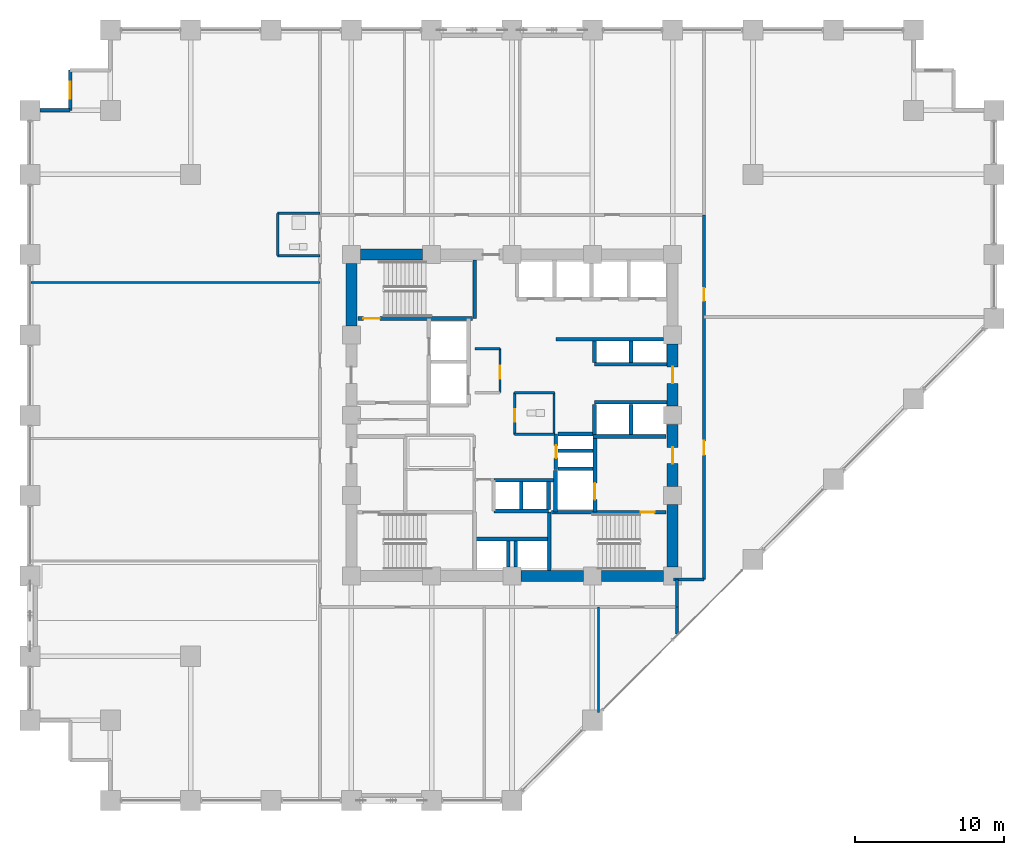
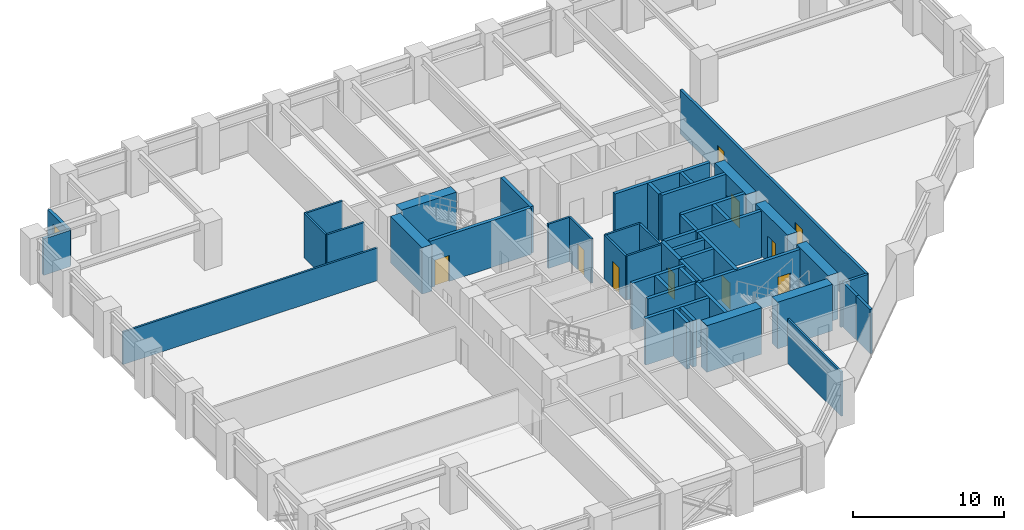
# One storey, part 21 of 25: 49 walls, 10 doors, 1 window, 11 openings.
"""IFC4 building model written with IfcOpenShell, lengths in metres."""

from ifc_helpers import new_model, si_unit, direction, frame, frame_2d, origin, place, context, subcontext, project, spatial, rectangle, extrude, material, layer, layer_set, type_object, element, fill, save


model = new_model("IFC4")

# Units and contexts
model_context = context("Model", 3, precision=1e-05, world=origin(), true_north=direction((0.0, 1.0)))
body_context = subcontext(model_context, "Body", "Model", "MODEL_VIEW")
ifc_project = project(units=[si_unit("LENGTHUNIT", "METRE"), si_unit("AREAUNIT", "SQUARE_METRE"), si_unit("VOLUMEUNIT", "CUBIC_METRE"), si_unit("PLANEANGLEUNIT", "RADIAN"), si_unit("MASSUNIT", "GRAM", prefix="KILO")], contexts=[model_context])

# Site, building, storey
site_placement = place(None, origin())
site = spatial("IfcSite", under=ifc_project, at=site_placement, CompositionType="ELEMENT")
building_placement = place(site_placement, origin())
building = spatial("IfcBuilding", under=site, at=building_placement, Name="Surkhivell Harbour Commons", CompositionType="ELEMENT")
storey_placement = place(building_placement, frame((0.0, 0.0, 45.0)))
storey = spatial("IfcBuildingStorey", under=building, at=storey_placement, Name="L11", CompositionType="ELEMENT", Elevation=45.0)

# Walls
ifc_material_1 = material(Name="Concrete C60/75", Category="concrete")
ifc_layer_1 = layer(ifc_material_1, 0.75)
ifc_layer_set_1 = layer_set([ifc_layer_1], Name="Concrete C60/75")
wall_type_1 = type_object("IfcWallType", Name="WAL-CORE-750", PredefinedType="SHEAR", material=ifc_layer_set_1)
for number, where, z_axis, x_axis, name in (
    (1, (-10.18994140625, 10.800048828125, 0.0), (0.0, 0.0, 1.0), (1.0, 0.0, 0.0), "L11 Core Shear Wall North 1"),
    (2, (10.800048828125, -10.18994140625, 0.0), (0.0, 0.0, 1.0), (0.0, 1.0, 0.0), "L11 Core Shear Wall East 1"),
):
    element("IfcWall", number, at=place(storey_placement, frame(where, z_axis=z_axis, x_axis=x_axis)), inside=storey, type_object=wall_type_1, Name=name, PredefinedType="SHEAR", context=body_context, shape_type="SweptSolid", body=[
        extrude(rectangle(XDim=4.179931640625, YDim=0.75, at=frame_2d((2.08984375, 0.0))), origin(), (0.0, 0.0, 1.0), 3.75),
    ])

# Wall, opening, door
wall_1_placement = place(storey_placement, frame((10.800048828125, -4.7900390625, 0.0), z_axis=(0.0, 0.0, 1.0), x_axis=(0.0, 1.0, 0.0)))
wall_1 = element("IfcWall", 3, at=wall_1_placement, inside=storey, type_object=wall_type_1, Name="L11 Core Shear Wall East 2", PredefinedType="SHEAR", context=body_context, shape_type="SweptSolid", body=[
    extrude(rectangle(XDim=4.179931640625, YDim=0.75, at=frame_2d((2.08984375, 0.0))), origin(), (0.0, 0.0, 1.0), 3.75),
])
opening_1_placement = place(wall_1_placement, frame((1.5400390625, 0.0, 0.0)))
opening_1 = element("IfcOpeningElement", 4, at=opening_1_placement, cuts=wall_1, Name="Opening ID-1", PredefinedType="OPENING", context=body_context, shape_type="SweptSolid", body=[
    extrude(rectangle(XDim=1.10009765625, YDim=2.10009765625, at=frame_2d((0.550048828125, 1.050048828125))), frame((0.0, 0.385009765625, 0.0), z_axis=(0.0, -1.0, 0.0), x_axis=(1.0, 0.0, 0.0)), (0.0, 0.0, 1.0), 0.77001953125),
])
ifc_material_2 = material(Name="Hardwood-veneered fire-rated door leaf", Category="wood")
door_type_1 = type_object("IfcDoorType", Name="DOR-FD120-1100", OperationType="NOTDEFINED", PredefinedType="DOOR", material=ifc_material_2)
door_1_placement = place(opening_1_placement, origin())
door_1 = element("IfcDoor", 5, at=door_1_placement, inside=storey, type_object=door_type_1, Name="L11 Firefighting Lobby 2 Corridor Door", OperationType="SINGLE_SWING_RIGHT", OverallHeight=2.10009765625, OverallWidth=1.10009765625, PredefinedType="DOOR", context=body_context, shape_type="SweptSolid", body=[
    extrude(rectangle(XDim=1.10009765625, YDim=2.10009765625, at=frame_2d((0.550048828125, 1.050048828125))), frame((0.0, 0.02490234375, 0.0), z_axis=(0.0, -1.0, 0.0), x_axis=(1.0, 0.0, 0.0)), (0.0, 0.0, 1.0), 0.050048828125),
])
fill(opening_1, door_1)

# Wall
wall_2_placement = place(storey_placement, frame((0.610107421875, -10.800048828125, 0.0), z_axis=(0.0, 0.0, 1.0), x_axis=(1.0, 0.0, 0.0)))
element("IfcWall", 6, at=wall_2_placement, inside=storey, type_object=wall_type_1, Name="L11 Core Shear Wall South 3", PredefinedType="SHEAR", context=body_context, shape_type="SweptSolid", body=[
    extrude(rectangle(XDim=4.179931640625, YDim=0.75, at=frame_2d((2.08984375, 0.0))), origin(), (0.0, 0.0, 1.0), 3.75),
])

# Wall, opening, door
wall_3_placement = place(storey_placement, frame((10.800048828125, 0.610107421875, 0.0), z_axis=(0.0, 0.0, 1.0), x_axis=(0.0, 1.0, 0.0)))
wall_3 = element("IfcWall", 7, at=wall_3_placement, inside=storey, type_object=wall_type_1, Name="L11 Core Shear Wall East 3", PredefinedType="SHEAR", context=body_context, shape_type="SweptSolid", body=[
    extrude(rectangle(XDim=4.179931640625, YDim=0.75, at=frame_2d((2.08984375, 0.0))), origin(), (0.0, 0.0, 1.0), 3.75),
])
opening_2_placement = place(wall_3_placement, frame((1.5400390625, 0.0, 0.0)))
opening_2 = element("IfcOpeningElement", 8, at=opening_2_placement, cuts=wall_3, Name="Opening ID-2", PredefinedType="OPENING", context=body_context, shape_type="SweptSolid", body=[
    extrude(rectangle(XDim=1.10009765625, YDim=2.10009765625, at=frame_2d((0.550048828125, 1.050048828125))), frame((0.0, 0.385009765625, 0.0), z_axis=(0.0, -1.0, 0.0), x_axis=(1.0, 0.0, 0.0)), (0.0, 0.0, 1.0), 0.77001953125),
])
door_type_2 = type_object("IfcDoorType", Name="DOR-FD60-1100", OperationType="NOTDEFINED", PredefinedType="DOOR", material=ifc_material_2)
door_2_placement = place(opening_2_placement, origin())
door_2 = element("IfcDoor", 9, at=door_2_placement, inside=storey, type_object=door_type_2, Name="L11 Mid-Rise Lobby East Door", OperationType="SINGLE_SWING_LEFT", OverallHeight=2.10009765625, OverallWidth=1.10009765625, PredefinedType="DOOR", context=body_context, shape_type="SweptSolid", body=[
    extrude(rectangle(XDim=1.10009765625, YDim=2.10009765625, at=frame_2d((0.550048828125, 1.050048828125))), frame((0.0, 0.02490234375, 0.0), z_axis=(0.0, -1.0, 0.0), x_axis=(1.0, 0.0, 0.0)), (0.0, 0.0, 1.0), 0.050048828125),
])
fill(opening_2, door_2)

# Walls
for number, where, z_axis, x_axis, name in (
    (10, (6.010009765625, -10.800048828125, 0.0), (0.0, 0.0, 1.0), (1.0, 0.0, 0.0), "L11 Core Shear Wall South 4"),
    (11, (-10.800048828125, 6.010009765625, 0.0), (0.0, 0.0, 1.0), (0.0, 1.0, 0.0), "L11 Core Shear Wall West 4"),
):
    element("IfcWall", number, at=place(storey_placement, frame(where, z_axis=z_axis, x_axis=x_axis)), inside=storey, type_object=wall_type_1, Name=name, PredefinedType="SHEAR", context=body_context, shape_type="SweptSolid", body=[
        extrude(rectangle(XDim=4.179931640625, YDim=0.75, at=frame_2d((2.08984375, 0.0))), origin(), (0.0, 0.0, 1.0), 3.75),
    ])

# Wall, opening, window
ifc_material_3 = material(Name="Bronze-ochre cassette precast concrete C45/55", Category="concrete")
ifc_layer_2 = layer(ifc_material_3, 0.239990234375)
ifc_layer_set_2 = layer_set([ifc_layer_2], Name="Bronze-ochre cassette precast concrete C45/55")
wall_type_2 = type_object("IfcWallType", Name="WAL-EXT-OCH240", PredefinedType="STANDARD", material=ifc_layer_set_2)
wall_4_placement = place(storey_placement, frame((-29.699951171875, 23.199951171875, 0.0), z_axis=(0.0, 0.0, 1.0), x_axis=(0.0, -1.0, 0.0)))
wall_4 = element("IfcWall", 12, at=wall_4_placement, inside=storey, type_object=wall_type_2, Name="L11 Serrated Corner Facade Wall 10", PredefinedType="STANDARD", context=body_context, shape_type="SweptSolid", body=[
    extrude(rectangle(XDim=2.699951171875, YDim=0.239990234375, at=frame_2d((1.35009765625, 0.0))), origin(), (0.0, 0.0, 1.0), 2.929931640625),
])
opening_3_placement = place(wall_4_placement, frame((0.77490234375, 0.0, 0.64990234375)))
opening_3 = element("IfcOpeningElement", 13, at=opening_3_placement, cuts=wall_4, Name="Opening WN-10", PredefinedType="OPENING", context=body_context, shape_type="SweptSolid", body=[
    extrude(rectangle(XDim=1.14990234375, YDim=1.550048828125, at=frame_2d((0.574951171875, 0.77490234375))), frame((0.0, 0.1298828125, 0.0), z_axis=(0.0, -1.0, 0.0), x_axis=(1.0, 0.0, 0.0)), (0.0, 0.0, 1.0), 0.260009765625),
])
ifc_material_4 = material(Name="Thermal-break aluminium frame and double low-E glazing", Category="aluminium")
window_type = type_object("IfcWindowType", Name="WIN-SER-1150x1550", PartitioningType="SINGLE_PANEL", PredefinedType="WINDOW", material=ifc_material_4)
window_placement = place(opening_3_placement, origin())
window = element("IfcWindow", 14, at=window_placement, inside=storey, type_object=window_type, Name="L11 Serrated Alcove Window 10", OverallHeight=1.550048828125, OverallWidth=1.14990234375, PartitioningType="SINGLE_PANEL", PredefinedType="WINDOW", context=body_context, shape_type="SweptSolid", body=[
    extrude(rectangle(XDim=1.14990234375, YDim=1.550048828125, at=frame_2d((0.574951171875, 0.77490234375))), frame((0.0, 0.030029296875, 0.0), z_axis=(0.0, -1.0, 0.0), x_axis=(1.0, 0.0, 0.0)), (0.0, 0.0, 1.0), 0.06005859375),
])
fill(opening_3, window)

# Walls
wall_5_placement = place(storey_placement, frame((-29.699951171875, 20.5, 0.0), z_axis=(0.0, 0.0, 1.0), x_axis=(-1.0, 0.0, 0.0)))
element("IfcWall", 15, at=wall_5_placement, inside=storey, type_object=wall_type_2, Name="L11 Serrated Corner Facade Wall 11", PredefinedType="STANDARD", context=body_context, shape_type="SweptSolid", body=[
    extrude(rectangle(XDim=2.027099609375, YDim=0.239990234375, at=frame_2d((1.013671875, 0.0))), origin(), (0.0, 0.0, 1.0), 2.929931640625),
])
ifc_material_5 = material(Name="Twin-stud acoustic fireboard partition", Category="other")
ifc_layer_3 = layer(ifc_material_5, 0.14990234375)
ifc_layer_set_3 = layer_set([ifc_layer_3], Name="Twin-stud acoustic fireboard partition")
wall_type_3 = type_object("IfcWallType", Name="WAL-INT-150", PredefinedType="PARTITIONING", material=ifc_layer_set_3)
wall_6_placement = place(storey_placement, frame((2.820068359375, -1.25, 0.0), z_axis=(0.0, 0.0, 1.0), x_axis=(0.0, 1.0, 0.0)))
element("IfcWall", 16, at=wall_6_placement, inside=storey, type_object=wall_type_3, Name="L11 Core WC East Wall", PredefinedType="PARTITIONING", context=body_context, shape_type="SweptSolid", body=[
    extrude(rectangle(XDim=2.77001953125, YDim=0.14990234375, at=frame_2d((1.385009765625, 0.0))), origin(), (0.0, 0.0, 1.0), 3.570068359375),
])
for number, where, z_axis, x_axis, name in (
    (17, (0.179931640625, 1.52001953125, 0.0), (0.0, 0.0, 1.0), (1.0, 0.0, 0.0), "L11 Core WC North Wall"),
    (18, (0.179931640625, -1.280029296875, 0.0), (0.0, 0.0, 1.0), (1.0, 0.0, 0.0), "L11 Core WC South Wall"),
):
    element("IfcWall", number, at=place(storey_placement, frame(where, z_axis=z_axis, x_axis=x_axis)), inside=storey, type_object=wall_type_3, Name=name, PredefinedType="PARTITIONING", context=body_context, shape_type="SweptSolid", body=[
        extrude(rectangle(XDim=2.670166015625, YDim=0.14990234375, at=frame_2d((1.3349609375, 0.0))), origin(), (0.0, 0.0, 1.0), 3.570068359375),
    ])

# Wall, opening, door
wall_7_placement = place(storey_placement, frame((0.179931640625, -1.280029296875, 0.0), z_axis=(0.0, 0.0, 1.0), x_axis=(0.0, 1.0, 0.0)))
wall_7 = element("IfcWall", 19, at=wall_7_placement, inside=storey, type_object=wall_type_3, Name="L11 Core Accessible WC West Wall", PredefinedType="PARTITIONING", context=body_context, shape_type="SweptSolid", body=[
    extrude(rectangle(XDim=2.800048828125, YDim=0.14990234375, at=frame_2d((1.39990234375, 0.0))), origin(), (0.0, 0.0, 1.0), 3.570068359375),
])
opening_4_placement = place(wall_7_placement, frame((0.85009765625, 0.0, 0.0)))
opening_4 = element("IfcOpeningElement", 20, at=opening_4_placement, cuts=wall_7, Name="Opening ID-6", PredefinedType="OPENING", context=body_context, shape_type="SweptSolid", body=[
    extrude(rectangle(XDim=0.85009765625, YDim=2.10009765625, at=frame_2d((0.425048828125, 1.050048828125))), frame((0.0, 0.0849609375, 0.0), z_axis=(0.0, -1.0, 0.0), x_axis=(1.0, 0.0, 0.0)), (0.0, 0.0, 1.0), 0.169921875),
])
door_type_3 = type_object("IfcDoorType", Name="DOR-FD30-850", OperationType="NOTDEFINED", PredefinedType="DOOR", material=ifc_material_2)
door_3_placement = place(opening_4_placement, origin())
door_3 = element("IfcDoor", 21, at=door_3_placement, inside=storey, type_object=door_type_3, Name="L11 Floor Accessible WC Door", OperationType="SINGLE_SWING_RIGHT", OverallHeight=2.10009765625, OverallWidth=0.85009765625, PredefinedType="DOOR", context=body_context, shape_type="SweptSolid", body=[
    extrude(rectangle(XDim=0.85009765625, YDim=2.10009765625, at=frame_2d((0.425048828125, 1.050048828125))), frame((0.0, 0.02490234375, 0.0), z_axis=(0.0, -1.0, 0.0), x_axis=(1.0, 0.0, 0.0)), (0.0, 0.0, 1.0), 0.050048828125),
])
fill(opening_4, door_3)

wall_8_placement = place(storey_placement, frame((-0.800048828125, 1.52001953125, 0.0), z_axis=(0.0, 0.0, 1.0), x_axis=(0.0, 1.0, 0.0)))
wall_8 = element("IfcWall", 22, at=wall_8_placement, inside=storey, type_object=wall_type_3, Name="L11 Core Seminar East Wall", PredefinedType="PARTITIONING", context=body_context, shape_type="SweptSolid", body=[
    extrude(rectangle(XDim=2.9599609375, YDim=0.14990234375, at=frame_2d((1.47998046875, 0.0))), origin(), (0.0, 0.0, 1.0), 3.570068359375),
])
opening_5_placement = place(wall_8_placement, frame((0.949951171875, 0.0, 0.0)))
opening_5 = element("IfcOpeningElement", 23, at=opening_5_placement, cuts=wall_8, Name="Opening ID-6", PredefinedType="OPENING", context=body_context, shape_type="SweptSolid", body=[
    extrude(rectangle(XDim=0.85009765625, YDim=2.10009765625, at=frame_2d((0.425048828125, 1.050048828125))), frame((0.0, 0.0849609375, 0.0), z_axis=(0.0, -1.0, 0.0), x_axis=(1.0, 0.0, 0.0)), (0.0, 0.0, 1.0), 0.169921875),
])
door_4_placement = place(opening_5_placement, origin())
door_4 = element("IfcDoor", 24, at=door_4_placement, inside=storey, type_object=door_type_3, Name="L11 Central Seminar Door", OperationType="SINGLE_SWING_LEFT", OverallHeight=2.10009765625, OverallWidth=0.85009765625, PredefinedType="DOOR", context=body_context, shape_type="SweptSolid", body=[
    extrude(rectangle(XDim=0.85009765625, YDim=2.10009765625, at=frame_2d((0.425048828125, 1.050048828125))), frame((0.0, 0.02490234375, 0.0), z_axis=(0.0, -1.0, 0.0), x_axis=(1.0, 0.0, 0.0)), (0.0, 0.0, 1.0), 0.050048828125),
])
fill(opening_5, door_4)

# Walls
wall_9_placement = place(storey_placement, frame((-2.47998046875, 4.47998046875, 0.0), z_axis=(0.0, 0.0, 1.0), x_axis=(1.0, 0.0, 0.0)))
element("IfcWall", 25, at=wall_9_placement, inside=storey, type_object=wall_type_3, Name="L11 Core Seminar North Wall", PredefinedType="PARTITIONING", context=body_context, shape_type="SweptSolid", body=[
    extrude(rectangle(XDim=1.679931640625, YDim=0.14990234375, at=frame_2d((0.83984375, 0.0))), origin(), (0.0, 0.0, 1.0), 3.570068359375),
])
wall_10_placement = place(storey_placement, frame((5.820068359375, -19.9951171875, 0.0), z_axis=(0.0, 0.0, 1.0), x_axis=(0.0, 1.0, 0.0)))
element("IfcWall", 26, at=wall_10_placement, inside=storey, type_object=wall_type_3, Name="L11 South Partition P2", PredefinedType="PARTITIONING", context=body_context, shape_type="SweptSolid", body=[
    extrude(rectangle(XDim=7.09521484375, YDim=0.14990234375, at=frame_2d((3.547607421875, 0.0))), origin(), (0.0, 0.0, 1.0), 3.570068359375),
])
for number, where, z_axis, x_axis, name in (
    (27, (-15.75, 10.72998046875, 0.0), (0.0, 0.0, 1.0), (0.0, 1.0, 0.0), "L11 West Partition BTHB"),
    (28, (-15.75, 13.580078125, 0.0), (0.0, 0.0, 1.0), (1.0, 0.0, 0.0), "L11 West Partition BTHN"),
    (29, (-15.75, 10.72998046875, 0.0), (0.0, 0.0, 1.0), (1.0, 0.0, 0.0), "L11 West Partition BTHS"),
):
    element("IfcWall", number, at=place(storey_placement, frame(where, z_axis=z_axis, x_axis=x_axis)), inside=storey, type_object=wall_type_3, Name=name, PredefinedType="PARTITIONING", context=body_context, shape_type="SweptSolid", body=[
        extrude(rectangle(XDim=2.85009765625, YDim=0.14990234375, at=frame_2d((1.425048828125, 0.0))), origin(), (0.0, 0.0, 1.0), 3.570068359375),
    ])
wall_11_placement = place(storey_placement, frame((-32.340087890625, 8.929931640625, 0.0), z_axis=(0.0, 0.0, 1.0), x_axis=(1.0, 0.0, 0.0)))
element("IfcWall", 30, at=wall_11_placement, inside=storey, type_object=wall_type_3, Name="L11 West Partition PTOP", PredefinedType="PARTITIONING", context=body_context, shape_type="SweptSolid", body=[
    extrude(rectangle(XDim=19.440185546875, YDim=0.14990234375, at=frame_2d((9.72021484375, 0.0))), origin(), (0.0, 0.0, 1.0), 2.62890625),
])
ifc_material_6 = material(Name="Autoclaved aerated concrete blockwork and fire plaster", Category="masonry")
ifc_layer_4 = layer(ifc_material_6, 0.199951171875)
ifc_layer_set_4 = layer_set([ifc_layer_4], Name="Autoclaved aerated concrete blockwork and fire plaster")
wall_type_4 = type_object("IfcWallType", Name="WAL-INT-200", PredefinedType="PARTITIONING", material=ifc_layer_set_4)
wall_12_placement = place(storey_placement, frame((11.10009765625, -14.715087890625, 0.0), z_axis=(0.0, 0.0, 1.0), x_axis=(0.0, 1.0, 0.0)))
element("IfcWall", 31, at=wall_12_placement, inside=storey, type_object=wall_type_4, Name="L11 South-East Wing Corner Divider", PredefinedType="PARTITIONING", context=body_context, shape_type="SweptSolid", body=[
    extrude(rectangle(XDim=1.815185546875, YDim=0.199951171875, at=frame_2d((0.90771484375, 0.0))), origin(), (0.0, 0.0, 1.0), 3.570068359375),
])

# Wall, openings, doors
wall_13_placement = place(storey_placement, frame((12.89990234375, -11.0400390625, 0.0), z_axis=(0.0, 0.0, 1.0), x_axis=(0.0, 1.0, 0.0)))
wall_13 = element("IfcWall", 32, at=wall_13_placement, inside=storey, type_object=wall_type_4, Name="L11 Corridor East Wall", PredefinedType="PARTITIONING", context=body_context, shape_type="SweptSolid", body=[
    extrude(rectangle(XDim=24.52001953125, YDim=0.199951171875, at=frame_2d((12.260009765625, 0.0))), origin(), (0.0, 0.0, 1.0), 3.570068359375),
])
opening_6_placement = place(wall_13_placement, frame((8.375, 0.0, 0.0)))
opening_6 = element("IfcOpeningElement", 33, at=opening_6_placement, cuts=wall_13, Name="Opening ID-4", PredefinedType="OPENING", context=body_context, shape_type="SweptSolid", body=[
    extrude(rectangle(XDim=0.949951171875, YDim=2.10009765625, at=frame_2d((0.47509765625, 1.050048828125))), frame((0.0, 0.10986328125, 0.0), z_axis=(0.0, -1.0, 0.0), x_axis=(1.0, 0.0, 0.0)), (0.0, 0.0, 1.0), 0.219970703125),
])
opening_7_placement = place(wall_13_placement, frame((18.739013671875, 0.0, 0.0)))
opening_7 = element("IfcOpeningElement", 34, at=opening_7_placement, cuts=wall_13, Name="Opening ID-6", PredefinedType="OPENING", context=body_context, shape_type="SweptSolid", body=[
    extrude(rectangle(XDim=0.85009765625, YDim=2.10009765625, at=frame_2d((0.425048828125, 1.050048828125))), frame((0.0, 0.10986328125, 0.0), z_axis=(0.0, -1.0, 0.0), x_axis=(1.0, 0.0, 0.0)), (0.0, 0.0, 1.0), 0.219970703125),
])
door_5_placement = place(opening_7_placement, origin())
door_5 = element("IfcDoor", 35, at=door_5_placement, inside=storey, type_object=door_type_3, Name="L11 Resident Advisory Reception Desk East Door", OperationType="SINGLE_SWING_LEFT", OverallHeight=2.10009765625, OverallWidth=0.85009765625, PredefinedType="DOOR", context=body_context, shape_type="SweptSolid", body=[
    extrude(rectangle(XDim=0.85009765625, YDim=2.10009765625, at=frame_2d((0.425048828125, 1.050048828125))), frame((0.0, 0.02490234375, 0.0), z_axis=(0.0, -1.0, 0.0), x_axis=(1.0, 0.0, 0.0)), (0.0, 0.0, 1.0), 0.050048828125),
])
fill(opening_7, door_5)
door_type_4 = type_object("IfcDoorType", Name="DOR-FD60-950", OperationType="NOTDEFINED", PredefinedType="DOOR", material=ifc_material_2)
door_6_placement = place(opening_6_placement, origin())
door_6 = element("IfcDoor", 36, at=door_6_placement, inside=storey, type_object=door_type_4, Name="L11 Zone Concierge Reception Foyer East Door", OperationType="SINGLE_SWING_RIGHT", OverallHeight=2.10009765625, OverallWidth=0.949951171875, PredefinedType="DOOR", context=body_context, shape_type="SweptSolid", body=[
    extrude(rectangle(XDim=0.949951171875, YDim=2.10009765625, at=frame_2d((0.47509765625, 1.050048828125))), frame((0.0, 0.02490234375, 0.0), z_axis=(0.0, -1.0, 0.0), x_axis=(1.0, 0.0, 0.0)), (0.0, 0.0, 1.0), 0.050048828125),
])
fill(opening_6, door_6)

# Walls
wall_14_placement = place(storey_placement, frame((10.85009765625, -11.0400390625, 0.0), z_axis=(0.0, 0.0, 1.0), x_axis=(1.0, 0.0, 0.0)))
element("IfcWall", 37, at=wall_14_placement, inside=storey, type_object=wall_type_4, Name="L11 Corridor East South Closure Wall", PredefinedType="PARTITIONING", context=body_context, shape_type="SweptSolid", body=[
    extrude(rectangle(XDim=2.0498046875, YDim=0.199951171875, at=frame_2d((1.02490234375, 0.0))), origin(), (0.0, 0.0, 1.0), 3.570068359375),
])
wall_15_placement = place(storey_placement, frame((11.10009765625, -12.89990234375, 0.0), z_axis=(0.0, 0.0, 1.0), x_axis=(0.0, 1.0, 0.0)))
element("IfcWall", 38, at=wall_15_placement, inside=storey, type_object=wall_type_4, Name="L11 Corridor SE Closure Wall", PredefinedType="PARTITIONING", context=body_context, shape_type="SweptSolid", body=[
    extrude(rectangle(XDim=1.85986328125, YDim=0.199951171875, at=frame_2d((0.929931640625, 0.0))), origin(), (0.0, 0.0, 1.0), 3.570068359375),
])
ifc_material_7 = material(Name="Concrete C50/60", Category="concrete")
ifc_layer_5 = layer(ifc_material_7, 0.25)
ifc_layer_set_5 = layer_set([ifc_layer_5], Name="Concrete C50/60")
wall_type_5 = type_object("IfcWallType", Name="WAL-SHAFT-250", PredefinedType="SHEAR", material=ifc_layer_set_5)
wall_16_placement = place(storey_placement, frame((2.929931640625, -6.510009765625, 0.0), z_axis=(0.0, 0.0, 1.0), x_axis=(0.0, 1.0, 0.0)))
element("IfcWall", 39, at=wall_16_placement, inside=storey, type_object=wall_type_5, Name="L11 FFL2 West Shaft Wall", PredefinedType="SHEAR", context=body_context, shape_type="SweptSolid", body=[
    extrude(rectangle(XDim=2.7900390625, YDim=0.25, at=frame_2d((1.39501953125, 0.0))), origin(), (0.0, 0.0, 1.0), 3.75),
])
wall_17_placement = place(storey_placement, frame((5.43994140625, -1.419921875, 0.0), z_axis=(0.0, 0.0, 1.0), x_axis=(1.0, 0.0, 0.0)))
element("IfcWall", 40, at=wall_17_placement, inside=storey, type_object=wall_type_5, Name="L11 Firefighting Lobby 2 North Wall", PredefinedType="SHEAR", context=body_context, shape_type="SweptSolid", body=[
    extrude(rectangle(XDim=4.900146484375, YDim=0.25, at=frame_2d((2.4501953125, 0.0))), origin(), (0.0, 0.0, 1.0), 3.75),
])
wall_18_placement = place(storey_placement, frame((3.080078125, -3.60009765625, 0.0), z_axis=(0.0, 0.0, 1.0), x_axis=(1.0, 0.0, 0.0)))
element("IfcWall", 41, at=wall_18_placement, inside=storey, type_object=wall_type_5, Name="L11 FFL2 North Shaft Wall", PredefinedType="SHEAR", context=body_context, shape_type="SweptSolid", body=[
    extrude(rectangle(XDim=2.369873046875, YDim=0.25, at=frame_2d((1.18505859375, 0.0))), origin(), (0.0, 0.0, 1.0), 3.75),
])

# Wall, opening, door
wall_19_placement = place(storey_placement, frame((5.580078125, -6.510009765625, 0.0), z_axis=(0.0, 0.0, 1.0), x_axis=(0.0, 1.0, 0.0)))
wall_19 = element("IfcWall", 42, at=wall_19_placement, inside=storey, type_object=wall_type_5, Name="L11 Firefighting Lobby 2 West Shaft Wall", PredefinedType="SHEAR", context=body_context, shape_type="SweptSolid", body=[
    extrude(rectangle(XDim=5.090087890625, YDim=0.25, at=frame_2d((2.544921875, 0.0))), origin(), (0.0, 0.0, 1.0), 3.75),
])
opening_8_placement = place(wall_19_placement, frame((0.85009765625, 0.0, 0.0)))
opening_8 = element("IfcOpeningElement", 43, at=opening_8_placement, cuts=wall_19, Name="Opening LD-1", PredefinedType="OPENING", context=body_context, shape_type="SweptSolid", body=[
    extrude(rectangle(XDim=1.10009765625, YDim=2.10009765625, at=frame_2d((0.550048828125, 1.050048828125))), frame((0.0, 0.135009765625, 0.0), z_axis=(0.0, -1.0, 0.0), x_axis=(1.0, 0.0, 0.0)), (0.0, 0.0, 1.0), 0.27001953125),
])
ifc_material_8 = material(Name="Brushed stainless steel S355", Category="steel")
door_type_5 = type_object("IfcDoorType", Name="DOR-LD-1100", OperationType="SLIDING_TO_LEFT", PredefinedType="DOOR", material=ifc_material_8)
door_7_placement = place(opening_8_placement, origin())
door_7 = element("IfcDoor", 44, at=door_7_placement, inside=storey, type_object=door_type_5, Name="L11 Lift Landing Door LD-FFL2", OperationType="SLIDING_TO_RIGHT", OverallHeight=2.10009765625, OverallWidth=1.10009765625, PredefinedType="DOOR", context=body_context, shape_type="SweptSolid", body=[
    extrude(rectangle(XDim=1.10009765625, YDim=2.10009765625, at=frame_2d((0.550048828125, 1.050048828125))), frame((0.0, 0.02490234375, 0.0), z_axis=(0.0, -1.0, 0.0), x_axis=(1.0, 0.0, 0.0)), (0.0, 0.0, 1.0), 0.050048828125),
])
fill(opening_8, door_7)

# Walls
for number, where, z_axis, x_axis, name in (
    (45, (0.6201171875, -6.340087890625, 0.0), (0.0, 0.0, 1.0), (0.0, 1.0, 0.0), "L11 High-Rise Side Wall N"),
    (46, (2.449951171875, -6.340087890625, 0.0), (0.0, 0.0, 1.0), (0.0, 1.0, 0.0), "L11 High-Rise Side Wall N"),
):
    element("IfcWall", number, at=place(storey_placement, frame(where, z_axis=z_axis, x_axis=x_axis)), inside=storey, type_object=wall_type_5, Name=name, PredefinedType="SHEAR", context=body_context, shape_type="SweptSolid", body=[
        extrude(rectangle(XDim=1.880126953125, YDim=0.25, at=frame_2d((0.93994140625, 0.0))), origin(), (0.0, 0.0, 1.0), 3.75),
    ])
for number, where, z_axis, x_axis, name in (
    (47, (-0.25, -10.199951171875, 0.0), (0.0, 0.0, 1.0), (0.0, 1.0, 0.0), "L11 High-Rise Side Wall S"),
    (48, (0.25, -10.199951171875, 0.0), (0.0, 0.0, 1.0), (0.0, 1.0, 0.0), "L11 High-Rise Side Wall S"),
):
    element("IfcWall", number, at=place(storey_placement, frame(where, z_axis=z_axis, x_axis=x_axis)), inside=storey, type_object=wall_type_5, Name=name, PredefinedType="SHEAR", context=body_context, shape_type="SweptSolid", body=[
        extrude(rectangle(XDim=1.760009765625, YDim=0.25, at=frame_2d((0.8798828125, 0.0))), origin(), (0.0, 0.0, 1.0), 3.75),
    ])
wall_20_placement = place(storey_placement, frame((-1.219970703125, -6.43994140625, 0.0), z_axis=(0.0, 0.0, 1.0), x_axis=(1.0, 0.0, 0.0)))
element("IfcWall", 49, at=wall_20_placement, inside=storey, type_object=wall_type_5, Name="L11 High-Rise North Front Shaft Wall", PredefinedType="SHEAR", context=body_context, shape_type="SweptSolid", body=[
    extrude(rectangle(XDim=3.669921875, YDim=0.25, at=frame_2d((1.8349609375, 0.0))), origin(), (0.0, 0.0, 1.0), 3.75),
])
wall_21_placement = place(storey_placement, frame((-2.47998046875, -8.320068359375, 0.0), z_axis=(0.0, 0.0, 1.0), x_axis=(1.0, 0.0, 0.0)))
element("IfcWall", 50, at=wall_21_placement, inside=storey, type_object=wall_type_5, Name="L11 High-Rise South Front Shaft Wall", PredefinedType="SHEAR", context=body_context, shape_type="SweptSolid", body=[
    extrude(rectangle(XDim=4.929931640625, YDim=0.25, at=frame_2d((2.46484375, 0.0))), origin(), (0.0, 0.0, 1.0), 3.75),
])
wall_22_placement = place(storey_placement, frame((-1.219970703125, -4.360107421875, 0.0), z_axis=(0.0, 0.0, 1.0), x_axis=(1.0, 0.0, 0.0)))
element("IfcWall", 51, at=wall_22_placement, inside=storey, type_object=wall_type_5, Name="L11 High-Rise North Back Shaft Wall", PredefinedType="SHEAR", context=body_context, shape_type="SweptSolid", body=[
    extrude(rectangle(XDim=4.030029296875, YDim=0.25, at=frame_2d((2.01513671875, 0.0))), origin(), (0.0, 0.0, 1.0), 3.75),
])
wall_23_placement = place(storey_placement, frame((2.949951171875, 5.1201171875, 0.0), z_axis=(0.0, 0.0, 1.0), x_axis=(1.0, 0.0, 0.0)))
element("IfcWall", 52, at=wall_23_placement, inside=storey, type_object=wall_type_5, Name="L11 Low-Rise Lobby South Wall", PredefinedType="SHEAR", context=body_context, shape_type="SweptSolid", body=[
    extrude(rectangle(XDim=7.25, YDim=0.25, at=frame_2d((3.625, 0.0))), origin(), (0.0, 0.0, 1.0), 3.75),
])
for number, where, z_axis, x_axis, name in (
    (53, (5.550048828125, 3.550048828125, 0.0), (0.0, 0.0, 1.0), (0.0, 1.0, 0.0), "L11 Mid-Rise Shaft Side Wall N"),
    (54, (8.0, 3.550048828125, 0.0), (0.0, 0.0, 1.0), (0.0, 1.0, 0.0), "L11 Mid-Rise Shaft Side Wall N"),
):
    element("IfcWall", number, at=place(storey_placement, frame(where, z_axis=z_axis, x_axis=x_axis)), inside=storey, type_object=wall_type_5, Name=name, PredefinedType="SHEAR", context=body_context, shape_type="SweptSolid", body=[
        extrude(rectangle(XDim=1.449951171875, YDim=0.25, at=frame_2d((0.72509765625, 0.0))), origin(), (0.0, 0.0, 1.0), 3.75),
    ])
for number, where, z_axis, x_axis, name in (
    (55, (5.550048828125, -1.300048828125, 0.0), (0.0, 0.0, 1.0), (0.0, 1.0, 0.0), "L11 Mid-Rise Shaft Side Wall S"),
    (56, (8.0, -1.300048828125, 0.0), (0.0, 0.0, 1.0), (0.0, 1.0, 0.0), "L11 Mid-Rise Shaft Side Wall S"),
):
    element("IfcWall", number, at=place(storey_placement, frame(where, z_axis=z_axis, x_axis=x_axis)), inside=storey, type_object=wall_type_5, Name=name, PredefinedType="SHEAR", context=body_context, shape_type="SweptSolid", body=[
        extrude(rectangle(XDim=2.0400390625, YDim=0.25, at=frame_2d((1.02001953125, 0.0))), origin(), (0.0, 0.0, 1.0), 3.75),
    ])
for number, where, z_axis, x_axis, name in (
    (57, (5.550048828125, 3.429931640625, 0.0), (0.0, 0.0, 1.0), (1.0, 0.0, 0.0), "L11 Mid-Rise North Front Shaft Wall"),
    (58, (5.550048828125, 0.8701171875, 0.0), (0.0, 0.0, 1.0), (1.0, 0.0, 0.0), "L11 Mid-Rise South Front Shaft Wall"),
):
    element("IfcWall", number, at=place(storey_placement, frame(where, z_axis=z_axis, x_axis=x_axis)), inside=storey, type_object=wall_type_5, Name=name, PredefinedType="SHEAR", context=body_context, shape_type="SweptSolid", body=[
        extrude(rectangle(XDim=4.875, YDim=0.25, at=frame_2d((2.4375, 0.0))), origin(), (0.0, 0.0, 1.0), 3.75),
    ])
for number, where, z_axis, x_axis, name in (
    (59, (3.080078125, -2.3798828125, 0.0), (0.0, 0.0, 1.0), (1.0, 0.0, 0.0), "L11 Riser Divider Wall"),
    (60, (3.080078125, -1.25, 0.0), (0.0, 0.0, 1.0), (1.0, 0.0, 0.0), "L11 Riser North Wall"),
):
    element("IfcWall", number, at=place(storey_placement, frame(where, z_axis=z_axis, x_axis=x_axis)), inside=storey, type_object=wall_type_5, Name=name, PredefinedType="SHEAR", context=body_context, shape_type="SweptSolid", body=[
        extrude(rectangle(XDim=2.369873046875, YDim=0.25, at=frame_2d((1.18505859375, 0.0))), origin(), (0.0, 0.0, 1.0), 3.75),
    ])

# Wall, opening, door
wall_24_placement = place(storey_placement, frame((2.949951171875, -3.64990234375, 0.0), z_axis=(0.0, 0.0, 1.0), x_axis=(0.0, 1.0, 0.0)))
wall_24 = element("IfcWall", 61, at=wall_24_placement, inside=storey, type_object=wall_type_5, Name="L11 Riser Shaft West Wall", PredefinedType="SHEAR", context=body_context, shape_type="SweptSolid", body=[
    extrude(rectangle(XDim=2.39990234375, YDim=0.25, at=frame_2d((1.199951171875, 0.0))), origin(), (0.0, 0.0, 1.0), 3.75),
])
opening_9_placement = place(wall_24_placement, frame((0.77490234375, 0.0, 0.0)))
opening_9 = element("IfcOpeningElement", 62, at=opening_9_placement, cuts=wall_24, Name="Opening ID-6", PredefinedType="OPENING", context=body_context, shape_type="SweptSolid", body=[
    extrude(rectangle(XDim=0.85009765625, YDim=2.10009765625, at=frame_2d((0.425048828125, 1.050048828125))), frame((0.0, 0.135009765625, 0.0), z_axis=(0.0, -1.0, 0.0), x_axis=(1.0, 0.0, 0.0)), (0.0, 0.0, 1.0), 0.27001953125),
])
door_8_placement = place(opening_9_placement, origin())
door_8 = element("IfcDoor", 63, at=door_8_placement, inside=storey, type_object=door_type_3, Name="L11 Electrical Riser Access Door", OperationType="SINGLE_SWING_LEFT", OverallHeight=2.10009765625, OverallWidth=0.85009765625, PredefinedType="DOOR", context=body_context, shape_type="SweptSolid", body=[
    extrude(rectangle(XDim=0.85009765625, YDim=2.10009765625, at=frame_2d((0.425048828125, 1.050048828125))), frame((0.0, 0.02490234375, 0.0), z_axis=(0.0, -1.0, 0.0), x_axis=(1.0, 0.0, 0.0)), (0.0, 0.0, 1.0), 0.050048828125),
])
fill(opening_9, door_8)

# Wall
wall_25_placement = place(storey_placement, frame((-2.510009765625, 6.510009765625, 0.0), z_axis=(0.0, 0.0, 1.0), x_axis=(0.0, 1.0, 0.0)))
element("IfcWall", 64, at=wall_25_placement, inside=storey, type_object=wall_type_5, Name="L11 Stair ST1 East Shear Wall", PredefinedType="SHEAR", context=body_context, shape_type="SweptSolid", body=[
    extrude(rectangle(XDim=3.9150390625, YDim=0.25, at=frame_2d((1.95751953125, 0.0))), origin(), (0.0, 0.0, 1.0), 3.75),
])

# Wall, opening, door
wall_26_placement = place(storey_placement, frame((-10.340087890625, 6.510009765625, 0.0), z_axis=(0.0, 0.0, 1.0), x_axis=(1.0, 0.0, 0.0)))
wall_26 = element("IfcWall", 65, at=wall_26_placement, inside=storey, type_object=wall_type_5, Name="L11 Stair ST1 South Shear Wall", PredefinedType="SHEAR", context=body_context, shape_type="SweptSolid", body=[
    extrude(rectangle(XDim=7.7001953125, YDim=0.25, at=frame_2d((3.85009765625, 0.0))), origin(), (0.0, 0.0, 1.0), 3.75),
])
opening_10_placement = place(wall_26_placement, frame((0.35009765625, 0.0, 0.0)))
opening_10 = element("IfcOpeningElement", 66, at=opening_10_placement, cuts=wall_26, Name="Opening ID-2", PredefinedType="OPENING", context=body_context, shape_type="SweptSolid", body=[
    extrude(rectangle(XDim=1.10009765625, YDim=2.10009765625, at=frame_2d((0.550048828125, 1.050048828125))), frame((0.0, 0.135009765625, 0.0), z_axis=(0.0, -1.0, 0.0), x_axis=(1.0, 0.0, 0.0)), (0.0, 0.0, 1.0), 0.27001953125),
])
door_9_placement = place(opening_10_placement, origin())
door_9 = element("IfcDoor", 67, at=door_9_placement, inside=storey, type_object=door_type_2, Name="L11 Stair ST1 Exit Door", OperationType="SINGLE_SWING_LEFT", OverallHeight=2.10009765625, OverallWidth=1.10009765625, PredefinedType="DOOR", context=body_context, shape_type="SweptSolid", body=[
    extrude(rectangle(XDim=1.10009765625, YDim=2.10009765625, at=frame_2d((0.550048828125, 1.050048828125))), frame((0.0, 0.02490234375, 0.0), z_axis=(0.0, -1.0, 0.0), x_axis=(1.0, 0.0, 0.0)), (0.0, 0.0, 1.0), 0.050048828125),
])
fill(opening_10, door_9)

wall_27_placement = place(storey_placement, frame((2.639892578125, -6.510009765625, 0.0), z_axis=(0.0, 0.0, 1.0), x_axis=(1.0, 0.0, 0.0)))
wall_27 = element("IfcWall", 68, at=wall_27_placement, inside=storey, type_object=wall_type_5, Name="L11 Stair ST2 North Shear Wall", PredefinedType="SHEAR", context=body_context, shape_type="SweptSolid", body=[
    extrude(rectangle(XDim=7.7001953125, YDim=0.25, at=frame_2d((3.85009765625, 0.0))), origin(), (0.0, 0.0, 1.0), 3.75),
])
opening_11_placement = place(wall_27_placement, frame((6.0, 0.0, 0.0)))
opening_11 = element("IfcOpeningElement", 69, at=opening_11_placement, cuts=wall_27, Name="Opening ID-4", PredefinedType="OPENING", context=body_context, shape_type="SweptSolid", body=[
    extrude(rectangle(XDim=0.949951171875, YDim=2.10009765625, at=frame_2d((0.47509765625, 1.050048828125))), frame((0.0, 0.135009765625, 0.0), z_axis=(0.0, -1.0, 0.0), x_axis=(1.0, 0.0, 0.0)), (0.0, 0.0, 1.0), 0.27001953125),
])
door_10_placement = place(opening_11_placement, origin())
door_10 = element("IfcDoor", 70, at=door_10_placement, inside=storey, type_object=door_type_4, Name="L11 Stair ST2 Exit Door", OperationType="SINGLE_SWING_RIGHT", OverallHeight=2.10009765625, OverallWidth=0.949951171875, PredefinedType="DOOR", context=body_context, shape_type="SweptSolid", body=[
    extrude(rectangle(XDim=0.949951171875, YDim=2.10009765625, at=frame_2d((0.47509765625, 1.050048828125))), frame((0.0, 0.02490234375, 0.0), z_axis=(0.0, -1.0, 0.0), x_axis=(1.0, 0.0, 0.0)), (0.0, 0.0, 1.0), 0.050048828125),
])
fill(opening_11, door_10)

# Wall
wall_28_placement = place(storey_placement, frame((2.510009765625, -10.425048828125, 0.0), z_axis=(0.0, 0.0, 1.0), x_axis=(0.0, 1.0, 0.0)))
element("IfcWall", 71, at=wall_28_placement, inside=storey, type_object=wall_type_5, Name="L11 Stair ST2 West Shear Wall", PredefinedType="SHEAR", context=body_context, shape_type="SweptSolid", body=[
    extrude(rectangle(XDim=3.9150390625, YDim=0.25, at=frame_2d((1.95751953125, 0.0))), origin(), (0.0, 0.0, 1.0), 3.75),
])

save(model, "model.ifc")
